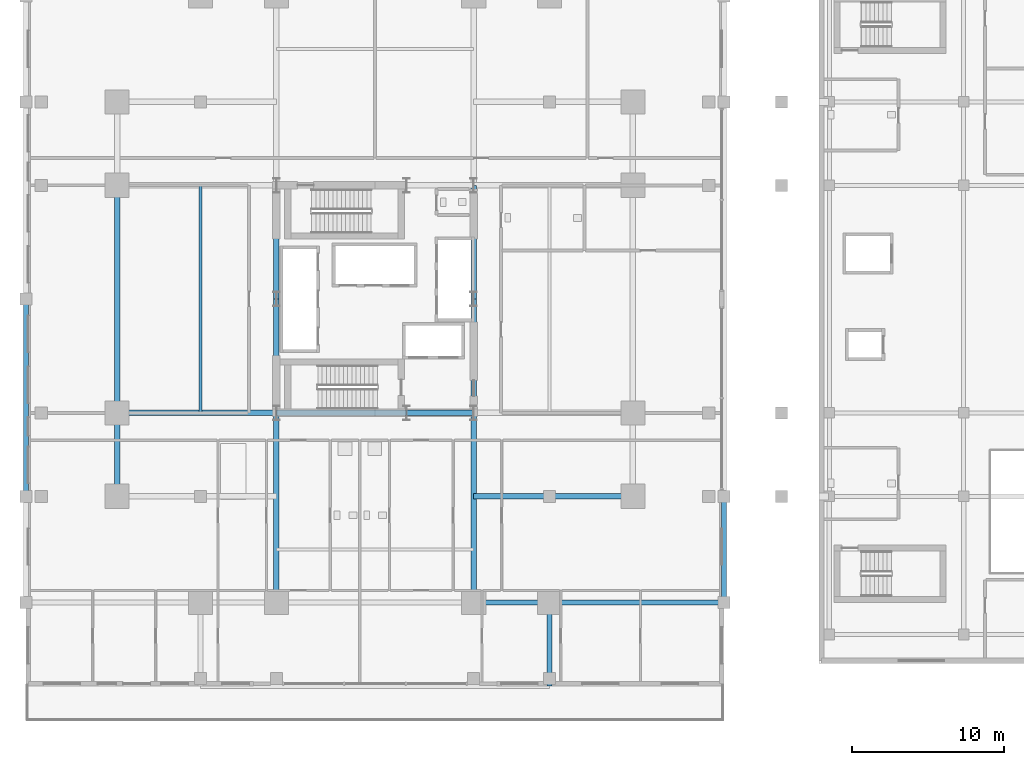
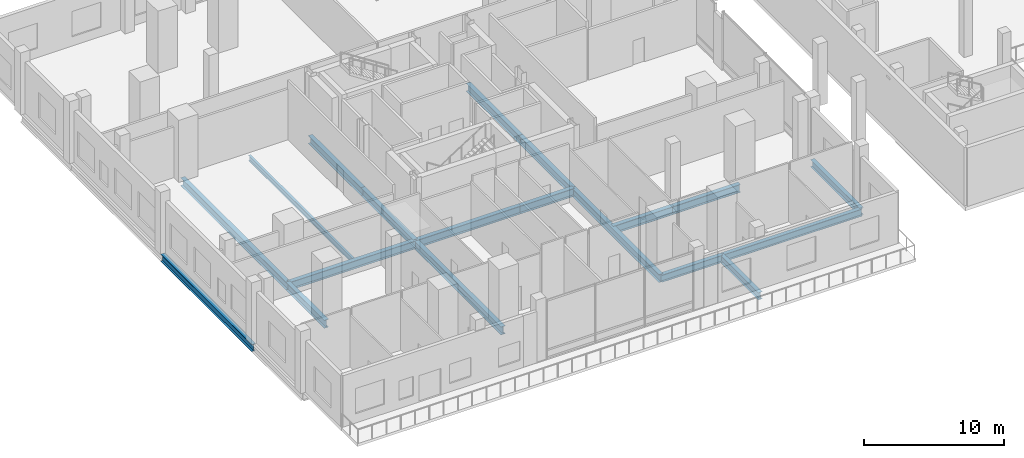
# One storey, part 6 of 32: 19 beams.
"""IFC4 building model written with IfcOpenShell, lengths in metres."""

from ifc_helpers import new_model, si_unit, direction, frame, origin, origin_2d, place, context, subcontext, project, spatial, i_section, extrude, material, material_profile, profile_set, type_object, element, save


model = new_model("IFC4")

# Units and contexts
model_context = context("Model", 3, precision=1e-05, world=origin(), true_north=direction((0.0, 1.0)))
body_context = subcontext(model_context, "Body", "Model", "MODEL_VIEW")
ifc_project = project(units=[si_unit("LENGTHUNIT", "METRE"), si_unit("AREAUNIT", "SQUARE_METRE"), si_unit("VOLUMEUNIT", "CUBIC_METRE"), si_unit("PLANEANGLEUNIT", "RADIAN"), si_unit("MASSUNIT", "GRAM", prefix="KILO")], contexts=[model_context])

# Site, building, storey
site_placement = place(None, origin())
site = spatial("IfcSite", under=ifc_project, at=site_placement, CompositionType="ELEMENT")
building_placement = place(site_placement, origin())
building = spatial("IfcBuilding", under=site, at=building_placement, Name="Barlavira Tower and Art Museum", CompositionType="ELEMENT")
storey_placement = place(building_placement, frame((0.0, 0.0, 6.0)))
storey = spatial("IfcBuildingStorey", under=building, at=storey_placement, Name="L01", CompositionType="ELEMENT", Elevation=6.0)

# Beams
ifc_material = material(Name="Steel S355", Category="steel")
ifc_material_profile_1 = material_profile(ifc_material, i_section(OverallWidth=0.327880859375, OverallDepth=0.62890625, WebThickness=0.013916015625, FlangeThickness=0.021484375, at=origin_2d()), Name="W610x174.0")
ifc_profile_set_1 = profile_set([ifc_material_profile_1], Name="Steel S355")
beam_type_1 = type_object("IfcBeamType", Name="Perimeter Spandrel Edge Beam W610x174 Steel S355", PredefinedType="SPANDREL", material=ifc_profile_set_1)
beam_1_placement = place(storey_placement, frame((6.5, -20.0, -0.594482421875), z_axis=(1.0, 0.0, 0.0), x_axis=(0.0, 1.0, 0.0)))
element("IfcBeam", 1, at=beam_1_placement, inside=storey, type_object=beam_type_1, Name="L01 Podium Spandrel PS4", PredefinedType="SPANDREL", context=body_context, shape_type="SweptSolid", body=[
    extrude(i_section(OverallWidth=0.327880859375, OverallDepth=0.62890625, WebThickness=0.013916015625, FlangeThickness=0.021484375, at=origin_2d()), origin(), (0.0, 0.0, 1.0), 5.0),
])
beam_2_placement = place(storey_placement, frame((11.5, -20.0, -0.594482421875), z_axis=(1.0, 0.0, 0.0), x_axis=(0.0, 1.0, 0.0)))
element("IfcBeam", 2, at=beam_2_placement, inside=storey, type_object=beam_type_1, Name="L01 Podium Spandrel PS5", PredefinedType="SPANDREL", context=body_context, shape_type="SweptSolid", body=[
    extrude(i_section(OverallWidth=0.327880859375, OverallDepth=0.62890625, WebThickness=0.013916015625, FlangeThickness=0.021484375, at=origin_2d()), origin(), (0.0, 0.0, 1.0), 11.5),
])
beam_3_placement = place(storey_placement, frame((-23.0, -13.0, -0.594482421875), z_axis=(0.0, 1.0, 0.0), x_axis=(-1.0, 0.0, 0.0)))
element("IfcBeam", 3, at=beam_3_placement, inside=storey, type_object=beam_type_1, Name="L01 Podium Spandrel PW2", PredefinedType="SPANDREL", context=body_context, shape_type="SweptSolid", body=[
    extrude(i_section(OverallWidth=0.327880859375, OverallDepth=0.62890625, WebThickness=0.013916015625, FlangeThickness=0.021484375, at=origin_2d()), origin(), (0.0, 0.0, 1.0), 13.0),
])
beam_4_placement = place(storey_placement, frame((23.0, -20.0, -0.594482421875), z_axis=(0.0, 1.0, 0.0), x_axis=(-1.0, 0.0, 0.0)))
element("IfcBeam", 4, at=beam_4_placement, inside=storey, type_object=beam_type_1, Name="L01 Podium Spandrel PE1", PredefinedType="SPANDREL", context=body_context, shape_type="SweptSolid", body=[
    extrude(i_section(OverallWidth=0.327880859375, OverallDepth=0.62890625, WebThickness=0.013916015625, FlangeThickness=0.021484375, at=origin_2d()), origin(), (0.0, 0.0, 1.0), 7.0),
])
beam_5_placement = place(storey_placement, frame((11.5, -25.5, -0.594482421875), z_axis=(0.0, 1.0, 0.0), x_axis=(-1.0, 0.0, 0.0)))
element("IfcBeam", 5, at=beam_5_placement, inside=storey, type_object=beam_type_1, Name="L01 SE Cascade Spandrel", PredefinedType="SPANDREL", context=body_context, shape_type="SweptSolid", body=[
    extrude(i_section(OverallWidth=0.327880859375, OverallDepth=0.62890625, WebThickness=0.013916015625, FlangeThickness=0.021484375, at=origin_2d()), origin(), (0.0, 0.0, 1.0), 5.5),
])
ifc_material_profile_2 = material_profile(ifc_material, i_section(OverallWidth=0.19189453125, OverallDepth=0.462890625, WebThickness=0.010498046875, FlangeThickness=0.017578125, at=origin_2d()), Name="W460x89.0")
ifc_profile_set_2 = profile_set([ifc_material_profile_2], Name="Steel S355")
beam_type_2 = type_object("IfcBeamType", Name="Podium Floor Joist W460x89 Steel S355", PredefinedType="JOIST", material=ifc_profile_set_2)
beam_6_placement = place(storey_placement, frame((-11.5, -7.5, -0.511474609375), z_axis=(0.0, 1.0, 0.0), x_axis=(-1.0, 0.0, 0.0)))
element("IfcBeam", 6, at=beam_6_placement, inside=storey, type_object=beam_type_2, Name="L01 Joist W1", PredefinedType="JOIST", context=body_context, shape_type="SweptSolid", body=[
    extrude(i_section(OverallWidth=0.19189453125, OverallDepth=0.462890625, WebThickness=0.010498046875, FlangeThickness=0.017578125, at=origin_2d()), origin(), (0.0, 0.0, 1.0), 15.0),
])
ifc_material_profile_3 = material_profile(ifc_material, i_section(OverallWidth=0.35595703125, OverallDepth=0.695068359375, WebThickness=0.014892578125, FlangeThickness=0.023681640625, at=origin_2d()), Name="W690x192.0")
ifc_profile_set_3 = profile_set([ifc_material_profile_3], Name="Steel S355")
beam_type_3 = type_object("IfcBeamType", Name="Podium Primary Girder W690x192 Steel S355", PredefinedType="BEAM", material=ifc_profile_set_3)
beam_7_placement = place(storey_placement, frame((-6.5, -7.5, -0.62744140625), z_axis=(1.0, 0.0, 0.0), x_axis=(0.0, 1.0, 0.0)))
element("IfcBeam", 7, at=beam_7_placement, inside=storey, type_object=beam_type_3, Name="L01 Girder C-S1", PredefinedType="BEAM", context=body_context, shape_type="SweptSolid", body=[
    extrude(i_section(OverallWidth=0.35595703125, OverallDepth=0.695068359375, WebThickness=0.014892578125, FlangeThickness=0.023681640625, at=origin_2d()), origin(), (0.0, 0.0, 1.0), 8.580078125),
])
beam_8_placement = place(storey_placement, frame((2.080078125, -7.5, -0.62744140625), z_axis=(1.0, 0.0, 0.0), x_axis=(0.0, 1.0, 0.0)))
element("IfcBeam", 8, at=beam_8_placement, inside=storey, type_object=beam_type_3, Name="L01 Girder C-S2", PredefinedType="BEAM", context=body_context, shape_type="SweptSolid", body=[
    extrude(i_section(OverallWidth=0.35595703125, OverallDepth=0.695068359375, WebThickness=0.014892578125, FlangeThickness=0.023681640625, at=origin_2d()), origin(), (0.0, 0.0, 1.0), 4.419921875),
])
for number, where, z_axis, x_axis, name in (
    (9, (-6.5, -7.5, -0.62744140625), (0.0, 1.0, 0.0), (-1.0, 0.0, 0.0), "L01 Girder C-W1"),
    (10, (-6.5, 0.0, -0.62744140625), (0.0, 1.0, 0.0), (-1.0, 0.0, 0.0), "L01 Girder C-W2"),
    (11, (6.5, -7.5, -0.62744140625), (0.0, 1.0, 0.0), (-1.0, 0.0, 0.0), "L01 Girder C-E1"),
    (12, (6.5, 0.0, -0.62744140625), (0.0, 1.0, 0.0), (-1.0, 0.0, 0.0), "L01 Girder C-E2"),
):
    element("IfcBeam", number, at=place(storey_placement, frame(where, z_axis=z_axis, x_axis=x_axis)), inside=storey, type_object=beam_type_3, Name=name, PredefinedType="BEAM", context=body_context, shape_type="SweptSolid", body=[
        extrude(i_section(OverallWidth=0.35595703125, OverallDepth=0.695068359375, WebThickness=0.014892578125, FlangeThickness=0.023681640625, at=origin_2d()), origin(), (0.0, 0.0, 1.0), 7.5),
    ])
beam_9_placement = place(storey_placement, frame((-17.0, -13.0, -0.62744140625), z_axis=(0.0, 1.0, 0.0), x_axis=(-1.0, 0.0, 0.0)))
element("IfcBeam", 13, at=beam_9_placement, inside=storey, type_object=beam_type_3, Name="L01 Girder M-W1", PredefinedType="BEAM", context=body_context, shape_type="SweptSolid", body=[
    extrude(i_section(OverallWidth=0.35595703125, OverallDepth=0.695068359375, WebThickness=0.014892578125, FlangeThickness=0.023681640625, at=origin_2d()), origin(), (0.0, 0.0, 1.0), 5.5),
])
beam_10_placement = place(storey_placement, frame((-17.0, -7.5, -0.62744140625), z_axis=(0.0, 1.0, 0.0), x_axis=(-1.0, 0.0, 0.0)))
element("IfcBeam", 14, at=beam_10_placement, inside=storey, type_object=beam_type_3, Name="L01 Girder M-W2", PredefinedType="BEAM", context=body_context, shape_type="SweptSolid", body=[
    extrude(i_section(OverallWidth=0.35595703125, OverallDepth=0.695068359375, WebThickness=0.014892578125, FlangeThickness=0.023681640625, at=origin_2d()), origin(), (0.0, 0.0, 1.0), 15.0),
])
for number, where, z_axis, x_axis, name in (
    (15, (-6.5, -20.0, -0.62744140625), (0.0, 1.0, 0.0), (-1.0, 0.0, 0.0), "L01 Girder R-S1"),
    (16, (6.5, -20.0, -0.62744140625), (0.0, 1.0, 0.0), (-1.0, 0.0, 0.0), "L01 Girder R-S2"),
):
    element("IfcBeam", number, at=place(storey_placement, frame(where, z_axis=z_axis, x_axis=x_axis)), inside=storey, type_object=beam_type_3, Name=name, PredefinedType="BEAM", context=body_context, shape_type="SweptSolid", body=[
        extrude(i_section(OverallWidth=0.35595703125, OverallDepth=0.695068359375, WebThickness=0.014892578125, FlangeThickness=0.023681640625, at=origin_2d()), origin(), (0.0, 0.0, 1.0), 12.5),
    ])
beam_11_placement = place(storey_placement, frame((-17.0, -7.5, -0.62744140625), z_axis=(1.0, 0.0, 0.0), x_axis=(0.0, 1.0, 0.0)))
element("IfcBeam", 17, at=beam_11_placement, inside=storey, type_object=beam_type_3, Name="L01 Girder R-W1", PredefinedType="BEAM", context=body_context, shape_type="SweptSolid", body=[
    extrude(i_section(OverallWidth=0.35595703125, OverallDepth=0.695068359375, WebThickness=0.014892578125, FlangeThickness=0.023681640625, at=origin_2d()), origin(), (0.0, 0.0, 1.0), 10.5),
])
beam_12_placement = place(storey_placement, frame((6.5, -13.0, -0.62744140625), z_axis=(1.0, 0.0, 0.0), x_axis=(0.0, 1.0, 0.0)))
element("IfcBeam", 18, at=beam_12_placement, inside=storey, type_object=beam_type_3, Name="L01 Girder I-S3", PredefinedType="BEAM", context=body_context, shape_type="SweptSolid", body=[
    extrude(i_section(OverallWidth=0.35595703125, OverallDepth=0.695068359375, WebThickness=0.014892578125, FlangeThickness=0.023681640625, at=origin_2d()), origin(), (0.0, 0.0, 1.0), 5.0),
])
beam_13_placement = place(storey_placement, frame((11.5, -13.0, -0.62744140625), z_axis=(1.0, 0.0, 0.0), x_axis=(0.0, 1.0, 0.0)))
element("IfcBeam", 19, at=beam_13_placement, inside=storey, type_object=beam_type_3, Name="L01 Girder I-S4", PredefinedType="BEAM", context=body_context, shape_type="SweptSolid", body=[
    extrude(i_section(OverallWidth=0.35595703125, OverallDepth=0.695068359375, WebThickness=0.014892578125, FlangeThickness=0.023681640625, at=origin_2d()), origin(), (0.0, 0.0, 1.0), 5.5),
])

save(model, "model.ifc")
